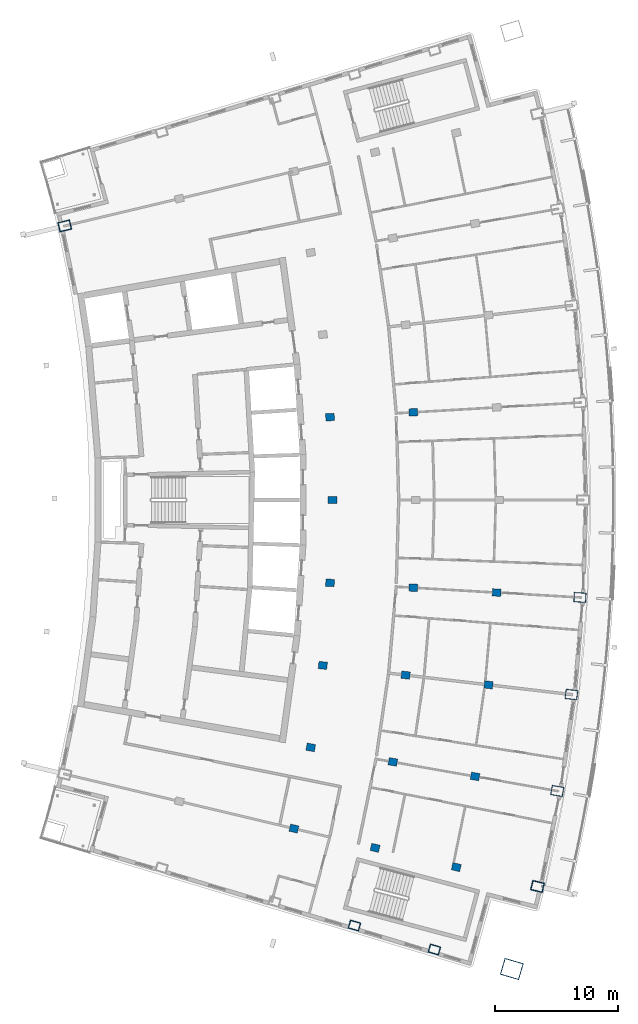
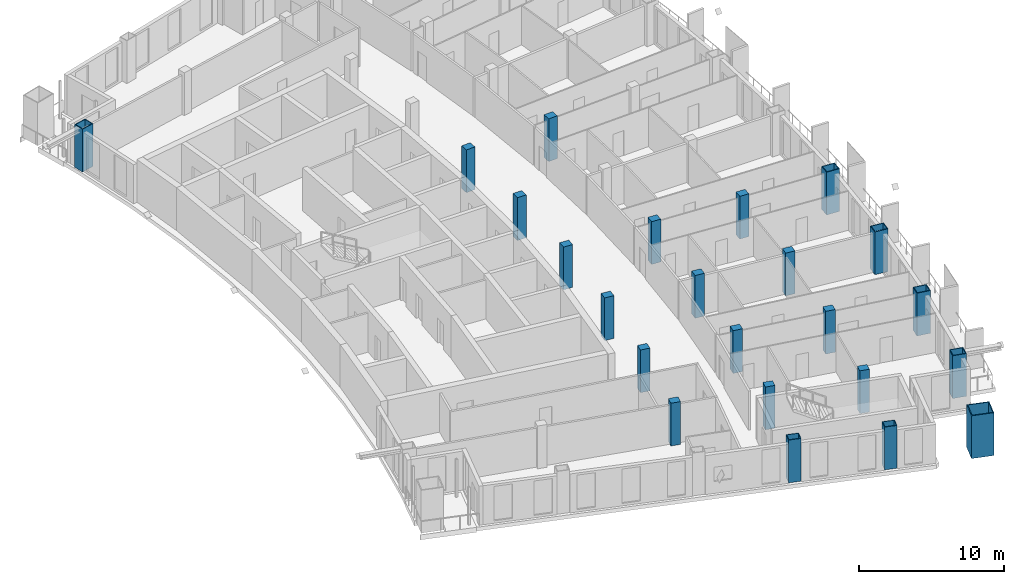
# One storey, part 2 of 17: 23 columns.
"""IFC4 building model written with IfcOpenShell, lengths in metres."""

from ifc_helpers import new_model, si_unit, direction, frame, origin, origin_2d, place, context, subcontext, project, spatial, rectangle, hollow_rectangle, extrude, material, material_profile, profile_set, type_object, element, save


model = new_model("IFC4")

# Units and contexts
model_context = context("Model", 3, precision=1e-05, world=origin(), true_north=direction((0.0, 1.0)))
body_context = subcontext(model_context, "Body", "Model", "MODEL_VIEW")
ifc_project = project(units=[si_unit("LENGTHUNIT", "METRE"), si_unit("AREAUNIT", "SQUARE_METRE"), si_unit("VOLUMEUNIT", "CUBIC_METRE"), si_unit("PLANEANGLEUNIT", "RADIAN"), si_unit("MASSUNIT", "GRAM", prefix="KILO")], contexts=[model_context])

# Site, building, storey
site_placement = place(None, origin())
site = spatial("IfcSite", under=ifc_project, at=site_placement, CompositionType="ELEMENT")
building_placement = place(site_placement, origin())
building = spatial("IfcBuilding", under=site, at=building_placement, Name="Alderwake Tower", CompositionType="ELEMENT")
storey_placement = place(building_placement, frame((0.0, 0.0, 274.39990234375)))
storey = spatial("IfcBuildingStorey", under=building, at=storey_placement, Name="L68", CompositionType="ELEMENT", Elevation=274.39990234375)

# Columns
ifc_material_1 = material(Name="Steel ASTM A572 Grade 50 concrete filled C70/85", Category="concrete")
ifc_material_profile_1 = material_profile(ifc_material_1, hollow_rectangle(XDim=0.699951171875, YDim=0.89990234375, WallThickness=0.050048828125, at=origin_2d()), Name="BOX 900X700X50")
ifc_profile_set_1 = profile_set([ifc_material_profile_1], Name="Steel ASTM A572 Grade 50 concrete filled C70/85")
column_type_1 = type_object("IfcColumnType", Name="End column Z5", PredefinedType="COLUMN", material=ifc_profile_set_1)
for number, where, z_axis, x_axis, name in (
    (1, (37.59326171875, 26.321533203125, 0.0), (0.0, 0.0, 1.0), (0.282858780249, 0.959161566388, 0.0), "Column R02-C3"),
    (2, (44.106201171875, 24.3662109375, 0.0), (0.0, 0.0, 1.0), (0.28310485669, 0.95908896361, 0.0), "Column R02-C4"),
):
    element("IfcColumn", number, at=place(storey_placement, frame(where, z_axis=z_axis, x_axis=x_axis)), inside=storey, type_object=column_type_1, Name=name, PredefinedType="COLUMN", context=body_context, shape_type="SweptSolid", body=[
        extrude(hollow_rectangle(XDim=0.699951171875, YDim=0.89990234375, WallThickness=0.050048828125, at=origin_2d()), origin(), (0.0, 0.0, 1.0), 3.60009765625),
    ])
ifc_material_2 = material(Name="Concrete C70/85", Category="concrete")
ifc_material_profile_2 = material_profile(ifc_material_2, rectangle(XDim=0.60009765625, YDim=0.699951171875, at=origin_2d()), Name="RC 700X600")
ifc_profile_set_2 = profile_set([ifc_material_profile_2], Name="Concrete C70/85")
column_type_2 = type_object("IfcColumnType", Name="Interior column Z5", PredefinedType="COLUMN", material=ifc_profile_set_2)
for number, where, z_axis, x_axis, name in (
    (3, (32.661865234375, 34.224609375, 0.0), (0.0, 0.0, 1.0), (0.231221547198, 0.972901123502, 0.0), "Column R03-C2"),
    (4, (39.277587890625, 32.652099609375, 0.0), (0.0, 0.0, 1.0), (0.231221547198, 0.972901123502, 0.0), "Column R03-C3"),
    (5, (45.893310546875, 31.079833984375, 0.0), (0.0, 0.0, 1.0), (0.231221547198, 0.972901123502, 0.0), "Column R03-C4"),
    (6, (34.03125, 40.83837890625, 0.0), (0.0, 0.0, 1.0), (0.174108800747, 0.984726421654, 0.0), "Column R04-C2"),
    (7, (40.7275390625, 39.654296875, 0.0), (0.0, 0.0, 1.0), (0.174108800747, 0.984726421654, 0.0), "Column R04-C3"),
    (8, (47.423583984375, 38.470458984375, 0.0), (0.0, 0.0, 1.0), (0.174108800747, 0.984726421654, 0.0), "Column R04-C4"),
    (9, (35.0126953125, 47.5205078125, 0.0), (0.0, 0.0, 1.0), (0.116402054316, 0.993202175668, 0.0), "Column R05-C2"),
    (10, (41.7666015625, 46.72900390625, 0.0), (0.0, 0.0, 1.0), (0.116402054316, 0.993202175668, 0.0), "Column R05-C3"),
    (11, (48.5205078125, 45.9375, 0.0), (0.0, 0.0, 1.0), (0.116402054316, 0.993202175668, 0.0), "Column R05-C4"),
    (12, (35.60302734375, 54.248779296875, 0.0), (0.0, 0.0, 1.0), (0.058301061284, 0.998299046505, 0.0), "Column R06-C2"),
    (13, (42.3916015625, 53.852294921875, 0.0), (0.0, 0.0, 1.0), (0.058299318924, 0.998299148258, 0.0), "Column R06-C3"),
    (14, (49.179931640625, 53.455810546875, 0.0), (0.0, 0.0, 1.0), (0.058301061284, 0.998299046505, 0.0), "Column R06-C4"),
    (15, (35.800048828125, 61.0, 0.0), (0.0, 0.0, 1.0), (0.0, 1.0, 0.0), "Column R07-C2"),
    (16, (35.60302734375, 67.751220703125, 0.0), (0.0, 0.0, 1.0), (-0.058301061284, 0.998299046505, 0.0), "Column R08-C2"),
    (17, (42.3916015625, 68.147705078125, 0.0), (0.0, 0.0, 1.0), (-0.058299318924, 0.998299148258, 0.0), "Column R08-C3"),
):
    element("IfcColumn", number, at=place(storey_placement, frame(where, z_axis=z_axis, x_axis=x_axis)), inside=storey, type_object=column_type_2, Name=name, PredefinedType="COLUMN", context=body_context, shape_type="SweptSolid", body=[
        extrude(rectangle(XDim=0.60009765625, YDim=0.699951171875, at=origin_2d()), origin(), (0.0, 0.0, 1.0), 3.60009765625),
    ])
ifc_material_3 = material(Name="Steel ASTM A572 Grade 50 concrete filled C70/85", Category="concrete")
ifc_material_profile_3 = material_profile(ifc_material_3, hollow_rectangle(XDim=1.39990234375, YDim=1.60009765625, WallThickness=0.070068359375, at=origin_2d()), Name="BOX 1600X1400X70")
ifc_profile_set_3 = profile_set([ifc_material_profile_3], Name="Steel ASTM A572 Grade 50 concrete filled C70/85")
column_type_3 = type_object("IfcColumnType", Name="Mega column Z5", PredefinedType="COLUMN", material=ifc_profile_set_3)
column_placement = place(storey_placement, frame((50.415771484375, 22.782958984375, 0.0), z_axis=(0.0, 0.0, 1.0), x_axis=(0.281214445816, 0.959644952816, 0.0)))
element("IfcColumn", 18, at=column_placement, inside=storey, type_object=column_type_3, Name="Column R02-C5", PredefinedType="COLUMN", context=body_context, shape_type="SweptSolid", body=[
    extrude(hollow_rectangle(XDim=1.39990234375, YDim=1.60009765625, WallThickness=0.070068359375, at=origin_2d()), origin(), (0.0, 0.0, 1.0), 3.60009765625),
])
ifc_material_4 = material(Name="Steel ASTM A572 Grade 50 concrete filled C70/85", Category="concrete")
ifc_material_profile_4 = material_profile(ifc_material_4, hollow_rectangle(XDim=0.800048828125, YDim=1.0, WallThickness=0.054931640625, at=origin_2d()), Name="BOX 1000X800X55")
ifc_profile_set_4 = profile_set([ifc_material_profile_4], Name="Steel ASTM A572 Grade 50 concrete filled C70/85")
column_type_4 = type_object("IfcColumnType", Name="Perimeter column Z5", PredefinedType="COLUMN", material=ifc_profile_set_4)
for number, where, z_axis, x_axis, name in (
    (19, (52.509033203125, 29.507568359375, 0.0), (0.0, 0.0, 1.0), (0.231221547198, 0.972901123502, 0.0), "Column R03-C5"),
    (20, (54.119873046875, 37.28662109375, 0.0), (0.0, 0.0, 1.0), (0.174107082075, 0.984726725529, 0.0), "Column R04-C5"),
    (21, (55.274169921875, 45.14599609375, 0.0), (0.0, 0.0, 1.0), (0.116402054316, 0.993202175668, 0.0), "Column R05-C5"),
    (22, (55.96826171875, 53.0595703125, 0.0), (0.0, 0.0, 1.0), (0.058301061284, 0.998299046505, 0.0), "Column R06-C5"),
    (23, (13.982177734375, 83.3359375, 0.0), (0.0, 0.0, 1.0), (-0.231221547198, 0.972901123502, 0.0), "Column R11-C0"),
):
    element("IfcColumn", number, at=place(storey_placement, frame(where, z_axis=z_axis, x_axis=x_axis)), inside=storey, type_object=column_type_4, Name=name, PredefinedType="COLUMN", context=body_context, shape_type="SweptSolid", body=[
        extrude(hollow_rectangle(XDim=0.800048828125, YDim=1.0, WallThickness=0.054931640625, at=origin_2d()), origin(), (0.0, 0.0, 1.0), 3.60009765625),
    ])

save(model, "model.ifc")
